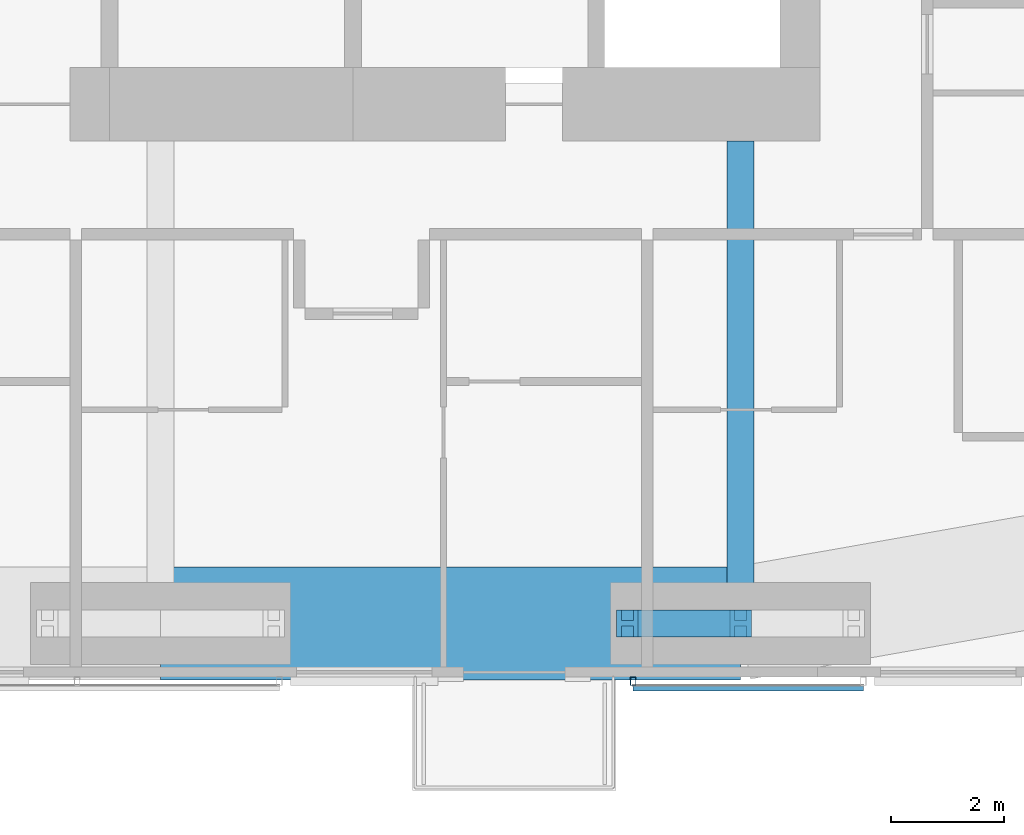
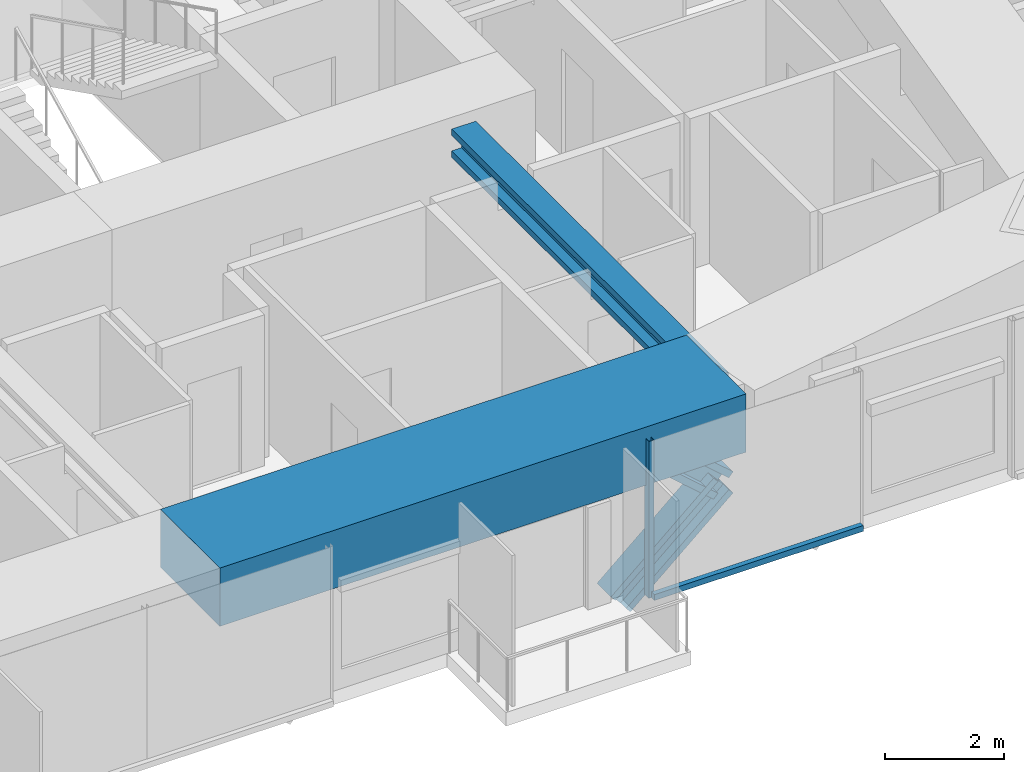
# One storey, part 4 of 22: 4 members, 2 beams, 1 element without a shape of its own.
"""IFC4 building model written with IfcOpenShell, lengths in metres."""

from ifc_helpers import new_model, si_unit, direction, frame, origin, origin_2d, place, context, subcontext, project, spatial, rectangle, hollow_rectangle, i_section, extrude, material, material_profile, profile_set, type_object, element, aggregate, save


model = new_model("IFC4")

# Units and contexts
model_context = context("Model", 3, precision=1e-05, world=origin(), true_north=direction((0.0, 1.0)))
body_context = subcontext(model_context, "Body", "Model", "MODEL_VIEW")
ifc_project = project(units=[si_unit("LENGTHUNIT", "METRE"), si_unit("AREAUNIT", "SQUARE_METRE"), si_unit("VOLUMEUNIT", "CUBIC_METRE"), si_unit("PLANEANGLEUNIT", "RADIAN"), si_unit("MASSUNIT", "GRAM", prefix="KILO")], contexts=[model_context])

# Site, building, storey
site_placement = place(None, origin())
site = spatial("IfcSite", under=ifc_project, at=site_placement, CompositionType="ELEMENT")
building_placement = place(site_placement, origin())
building = spatial("IfcBuilding", under=site, at=building_placement, Name="Jalousie Tower", CompositionType="ELEMENT")
storey_placement = place(building_placement, frame((0.0, 0.0, 154.35009765625)))
storey = spatial("IfcBuildingStorey", under=building, at=storey_placement, Name="L41", CompositionType="ELEMENT", Elevation=154.35009765625)

# Beam
ifc_material_1 = material(Name="Steel ASTM A992 Grade 50", Category="steel")
ifc_material_profile_1 = material_profile(ifc_material_1, i_section(OverallWidth=0.472412109375, OverallDepth=0.5791015625, WebThickness=0.094970703125, FlangeThickness=0.1298828125, at=origin_2d()), Name="W14X808")
ifc_profile_set_1 = profile_set([ifc_material_profile_1], Name="Steel ASTM A992 Grade 50")
beam_type_1 = type_object("IfcBeamType", Name="LEAN COLLECTOR W14X808", PredefinedType="BEAM", material=ifc_profile_set_1)
beam_1_placement = place(storey_placement, frame((42.75, 0.949951171875, 2.8203125), z_axis=(0.0, 1.0, 0.0), x_axis=(-1.0, 0.0, 0.0)))
element("IfcBeam", 1, at=beam_1_placement, inside=storey, type_object=beam_type_1, Name="Lean collector under L42", PredefinedType="BEAM", context=body_context, shape_type="SweptSolid", body=[
    extrude(i_section(OverallWidth=0.472412109375, OverallDepth=0.5791015625, WebThickness=0.094970703125, FlangeThickness=0.1298828125, at=origin_2d()), origin(), (0.0, 0.0, 1.0), 8.525146484375),
])

# Members
ifc_material_2 = material(Name="Steel ASTM A992 Grade 50", Category="steel")
ifc_material_profile_2 = material_profile(ifc_material_2, i_section(OverallWidth=0.472412109375, OverallDepth=0.5791015625, WebThickness=0.094970703125, FlangeThickness=0.1298828125, at=origin_2d()), Name="W14X808")
ifc_profile_set_2 = profile_set([ifc_material_profile_2], Name="Steel ASTM A992 Grade 50")
member_type_1 = type_object("IfcMemberType", Name="PERIMETER BRACE W14X808", PredefinedType="BRACE", material=ifc_profile_set_2)
for number, where, z_axis, x_axis, name in (
    (2, (40.75, 0.949951171875, -0.75), (0.752576694707, 0.0, 0.658504607869), (0.0, 1.0, 0.0), "Perimeter brace 04 L41 part 1"),
    (3, (42.75, 0.949951171875, 1.0), (-0.752576694707, 0.0, 0.658504607869), (0.0, -1.0, 0.0), "Perimeter brace 04 L41 part 4"),
):
    element("IfcMember", number, at=place(storey_placement, frame(where, z_axis=z_axis, x_axis=x_axis)), inside=storey, type_object=member_type_1, Name=name, PredefinedType="BRACE", context=body_context, shape_type="SweptSolid", body=[
        extrude(i_section(OverallWidth=0.472412109375, OverallDepth=0.5791015625, WebThickness=0.094970703125, FlangeThickness=0.1298828125, at=origin_2d()), origin(), (0.0, 0.0, 1.0), 2.657470703125),
    ])

# Beam
ifc_material_3 = material(Name="Concrete f'c 40 MPa", Category="concrete")
ifc_material_profile_3 = material_profile(ifc_material_3, rectangle(XDim=2.0, YDim=1.199951171875, at=origin_2d()), Name="RC 2000x1200")
ifc_profile_set_3 = profile_set([ifc_material_profile_3], Name="Concrete f'c 40 MPa")
beam_type_2 = type_object("IfcBeamType", Name="RC BEAM 2000x1200", PredefinedType="BEAM", material=ifc_profile_set_3)
beam_2_placement = place(storey_placement, frame((32.5, 0.949951171875, 2.75), z_axis=(1.0, 0.0, 0.0), x_axis=(0.0, 1.0, 0.0)))
element("IfcBeam", 4, at=beam_2_placement, inside=storey, type_object=beam_type_2, Name="Edge band beam 03-04 under L42", PredefinedType="BEAM", context=body_context, shape_type="SweptSolid", body=[
    extrude(rectangle(XDim=2.0, YDim=1.199951171875, at=origin_2d()), origin(), (0.0, 0.0, 1.0), 10.25),
])

# Curtain wall, members
ifc_material_4 = material(Name="Perforated aluminium sheet", Category="aluminium")
curtain_wall_type = type_object("IfcCurtainWallType", Name="SOLAR SCREEN SS-1", PredefinedType="USERDEFINED", material=ifc_material_4)
curtain_wall_placement = place(storey_placement, origin())
curtain_wall = element("IfcCurtainWall", 5, at=curtain_wall_placement, inside=storey, type_object=curtain_wall_type, Name="Solar screen L41", ObjectType="SOLAR SCREEN SS-1", PredefinedType="USERDEFINED")
ifc_material_5 = material(Name="Steel ASTM A500 Grade C", Category="steel")
ifc_material_profile_4 = material_profile(ifc_material_5, hollow_rectangle(XDim=0.1015625, YDim=0.15234375, WallThickness=0.00634765625, at=origin_2d()), Name="HSS6X4X1/4")
ifc_profile_set_4 = profile_set([ifc_material_profile_4], Name="Steel ASTM A500 Grade C")
member_type_2 = type_object("IfcMemberType", Name="SOLAR SCREEN SS-1 MULLION", PredefinedType="MULLION", material=ifc_profile_set_4)
member_1_placement = place(storey_placement, frame((40.85009765625, -0.0712890625, -0.1201171875), z_axis=(0.0, 0.0, 1.0), x_axis=(1.0, 0.0, 0.0)))
member_1 = element("IfcMember", 6, at=member_1_placement, type_object=member_type_2, Name="SS1 post 1", PredefinedType="MULLION", context=body_context, shape_type="SweptSolid", body=[
    extrude(hollow_rectangle(XDim=0.1015625, YDim=0.15234375, WallThickness=0.00634765625, at=origin_2d()), origin(), (0.0, 0.0, 1.0), 3.22998046875),
])
ifc_material_6 = material(Name="Extruded aluminium screen rail", Category="aluminium")
ifc_material_profile_5 = material_profile(ifc_material_6, rectangle(XDim=0.1015625, YDim=0.1201171875, at=origin_2d()), Name="RAIL 102x120")
ifc_profile_set_5 = profile_set([ifc_material_profile_5], Name="Extruded aluminium screen rail")
member_type_3 = type_object("IfcMemberType", Name="SOLAR SCREEN SS-1 TRANSOM", PredefinedType="USERDEFINED", material=ifc_profile_set_5)
member_2_placement = place(storey_placement, frame((40.85009765625, -0.1982421875, -0.06005859375), z_axis=(1.0, 0.0, 0.0), x_axis=(0.0, 1.0, 0.0)))
member_2 = element("IfcMember", 7, at=member_2_placement, type_object=member_type_3, Name="SS1 rail", ObjectType="TRANSOM", PredefinedType="USERDEFINED", context=body_context, shape_type="SweptSolid", body=[
    extrude(rectangle(XDim=0.1015625, YDim=0.1201171875, at=origin_2d()), origin(), (0.0, 0.0, 1.0), 4.071533203125),
])
aggregate(curtain_wall, [member_1, member_2])

save(model, "model.ifc")
